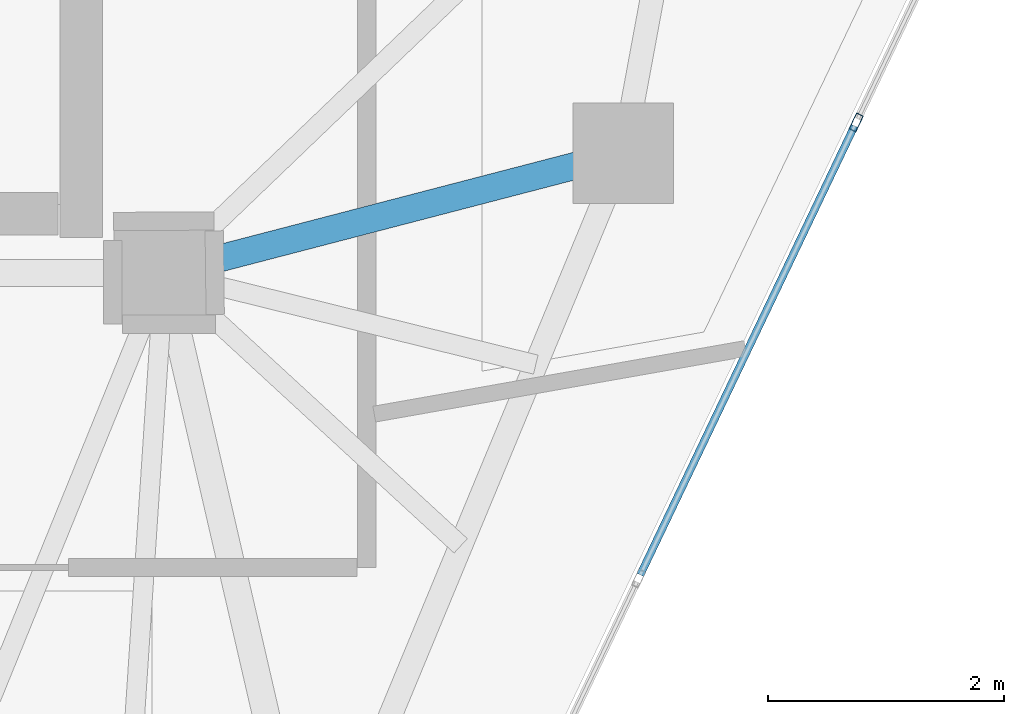
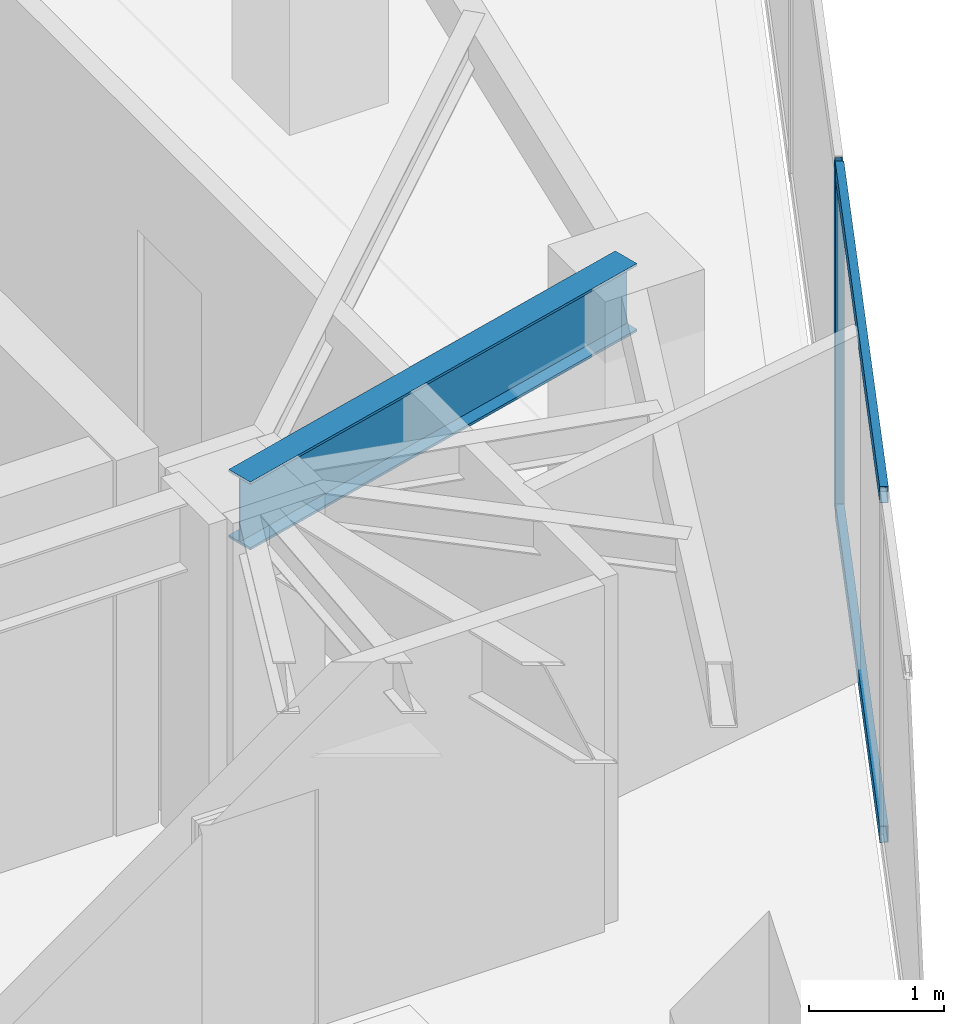
# One storey, part 7 of 20: 3 members, 1 beam, 1 element without a shape of its own.
"""IFC4 building model written with IfcOpenShell, lengths in metres."""

from ifc_helpers import new_model, si_unit, direction, frame, origin, origin_2d, place, context, subcontext, project, spatial, hollow_rectangle, i_section, extrude, source, transform, mapped, material, layer, layer_set, material_profile, profile_set, type_object, type_shapes, element, aggregate, save


model = new_model("IFC4")

# Units and contexts
model_context = context("Model", 3, precision=1e-05, world=origin(), true_north=direction((0.0, 1.0)))
body_context = subcontext(model_context, "Body", "Model", "MODEL_VIEW")
ifc_project = project(units=[si_unit("LENGTHUNIT", "METRE"), si_unit("AREAUNIT", "SQUARE_METRE"), si_unit("VOLUMEUNIT", "CUBIC_METRE"), si_unit("PLANEANGLEUNIT", "RADIAN"), si_unit("MASSUNIT", "GRAM", prefix="KILO")], contexts=[model_context])

# Site, building, storey
site_placement = place(None, origin())
site = spatial("IfcSite", under=ifc_project, at=site_placement, CompositionType="ELEMENT")
building_placement = place(site_placement, origin())
building = spatial("IfcBuilding", under=site, at=building_placement, Name="Talar Marvaseh", CompositionType="ELEMENT")
storey_placement = place(building_placement, frame((0.0, 0.0, 281.60009765625)))
storey = spatial("IfcBuildingStorey", under=building, at=storey_placement, Name="L75", CompositionType="ELEMENT", Elevation=281.60009765625)

# Beam
ifc_material_1 = material(Name="Steel S355", Category="steel")
ifc_material_profile_1 = material_profile(ifc_material_1, i_section(OverallWidth=0.22998046875, OverallDepth=0.616943359375, WebThickness=0.01318359375, FlangeThickness=0.022216796875, at=origin_2d()), Name="W610x140")
ifc_profile_set_1 = profile_set([ifc_material_profile_1], Name="Steel S355")
beam_type = type_object("IfcBeamType", Name="Zone 4 Radial Floor Girder W610x140", PredefinedType="BEAM", material=ifc_profile_set_1)
beam_placement = place(storey_placement, frame((37.197021484375, 26.513916015625, 2.831298828125), z_axis=(-0.967779967746, -0.251797406719, 0.0), x_axis=(0.251797406719, -0.967779967746, 0.0)))
element("IfcBeam", 1, at=beam_placement, inside=storey, type_object=beam_type, Name="L75 Zone 4 Radial Floor Girder W610x140", PredefinedType="BEAM", context=body_context, shape_type="SweptSolid", body=[
    extrude(i_section(OverallWidth=0.22998046875, OverallDepth=0.616943359375, WebThickness=0.01318359375, FlangeThickness=0.022216796875, at=origin_2d()), origin(), (0.0, 0.0, 1.0), 4.026611328125),
])

# Curtain wall, members
ifc_material_2 = material(Name="Architectural Aluminium", Category="aluminium")
ifc_layer = layer(ifc_material_2, 0.179931640625)
ifc_layer_set = layer_set([ifc_layer], Name="Architectural Aluminium")
curtain_wall_type = type_object("IfcCurtainWallType", Name="Unitised High-Wind Sky Curtain Wall Z4", PredefinedType="NOTDEFINED", material=ifc_layer_set)
curtain_wall_placement = place(storey_placement, origin())
curtain_wall = element("IfcCurtainWall", 2, at=curtain_wall_placement, inside=storey, type_object=curtain_wall_type, Name="L75 Unitised High-Wind Sky Curtain Wall Z4", PredefinedType="NOTDEFINED")
ifc_material_profile_2 = material_profile(ifc_material_2, hollow_rectangle(XDim=0.06494140625, YDim=0.14990234375, WallThickness=0.00390625, at=origin_2d()), Name="RHS150x65x4")
ifc_profile_set_2 = profile_set([ifc_material_profile_2], Name="Architectural Aluminium")
member_type_1 = type_object("IfcMemberType", Name="Unitised Curtain Wall Slim Mullion RHS150x65x4", PredefinedType="MULLION", material=ifc_profile_set_2)
shared_shape_1 = source(origin(), body_context, "Body", "SweptSolid", [
    extrude(hollow_rectangle(XDim=0.06494140625, YDim=0.14990234375, WallThickness=0.00390625, at=origin_2d()), origin(), (0.0, 0.0, 1.0), 3.139892578125),
])
type_shapes(member_type_1, [shared_shape_1])
member_1_placement = place(storey_placement, frame((39.172119140625, 26.7763671875, 0.0), z_axis=(0.0, 0.0, 1.0), x_axis=(0.902516744235, -0.430654764719, 0.0)))
member_1 = element("IfcMember", 3, at=member_1_placement, type_object=member_type_1, Name="CW-Z4 mullion 3", PredefinedType="MULLION", context=body_context, shape_type="MappedRepresentation", body=[
    mapped(shared_shape_1, transform((0.0, 0.0, 0.0), x_axis=(1.0, 0.0, 0.0), y_axis=(0.0, 1.0, 0.0), z_axis=(0.0, 0.0, 1.0), scale=1.0)),
])
ifc_material_profile_3 = material_profile(ifc_material_2, hollow_rectangle(XDim=0.06494140625, YDim=0.14990234375, WallThickness=0.00390625, at=origin_2d()), Name="RHS150x65x4")
ifc_profile_set_3 = profile_set([ifc_material_profile_3], Name="Architectural Aluminium")
member_type_2 = type_object("IfcMemberType", Name="Unitised Curtain Wall Slim Transom RHS150x65x4", PredefinedType="USERDEFINED", material=ifc_profile_set_3)
shared_shape_2 = source(origin(), body_context, "Body", "SweptSolid", [
    extrude(hollow_rectangle(XDim=0.06494140625, YDim=0.14990234375, WallThickness=0.00390625, at=origin_2d()), origin(), (0.0, 0.0, 1.0), 4.22119140625),
])
type_shapes(member_type_2, [shared_shape_2])
member_2_placement = place(storey_placement, frame((39.158203125, 26.746826171875, 0.032470703125), z_axis=(-0.430712456445, -0.902489213156, 0.0), x_axis=(0.902489213156, -0.430712456445, 0.0)))
member_2 = element("IfcMember", 4, at=member_2_placement, type_object=member_type_2, Name="CW-Z4 transom 3.1", ObjectType="TRANSOM", PredefinedType="USERDEFINED", context=body_context, shape_type="MappedRepresentation", body=[
    mapped(shared_shape_2, transform((0.0, 0.0, 0.0), x_axis=(1.0, 0.0, 0.0), y_axis=(0.0, 1.0, 0.0), z_axis=(0.0, 0.0, 1.0), scale=1.0)),
])
member_3_placement = place(storey_placement, frame((39.158203125, 26.746826171875, 3.107421875), z_axis=(-0.430712456445, -0.902489213156, 0.0), x_axis=(0.902489213156, -0.430712456445, 0.0)))
member_3 = element("IfcMember", 5, at=member_3_placement, type_object=member_type_2, Name="CW-Z4 transom 3.2", ObjectType="TRANSOM", PredefinedType="USERDEFINED", context=body_context, shape_type="MappedRepresentation", body=[
    mapped(shared_shape_2, transform((0.0, 0.0, 0.0), x_axis=(1.0, 0.0, 0.0), y_axis=(0.0, 1.0, 0.0), z_axis=(0.0, 0.0, 1.0), scale=1.0)),
])
aggregate(curtain_wall, [member_1, member_2, member_3])

save(model, "model.ifc")
